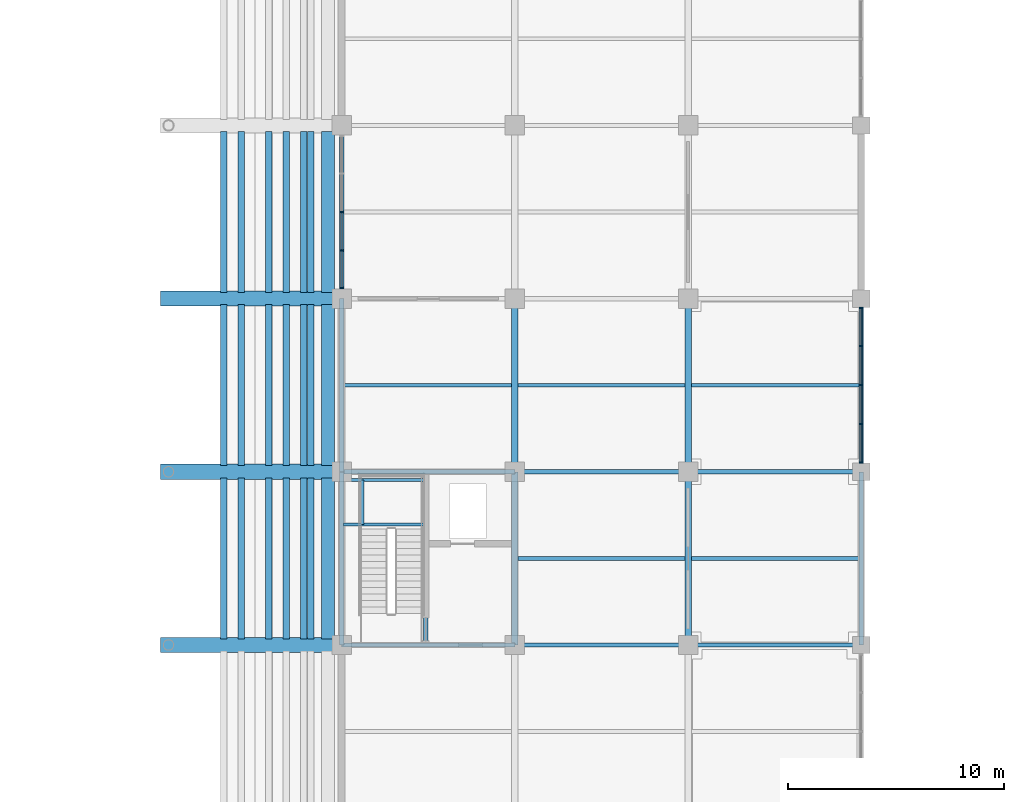
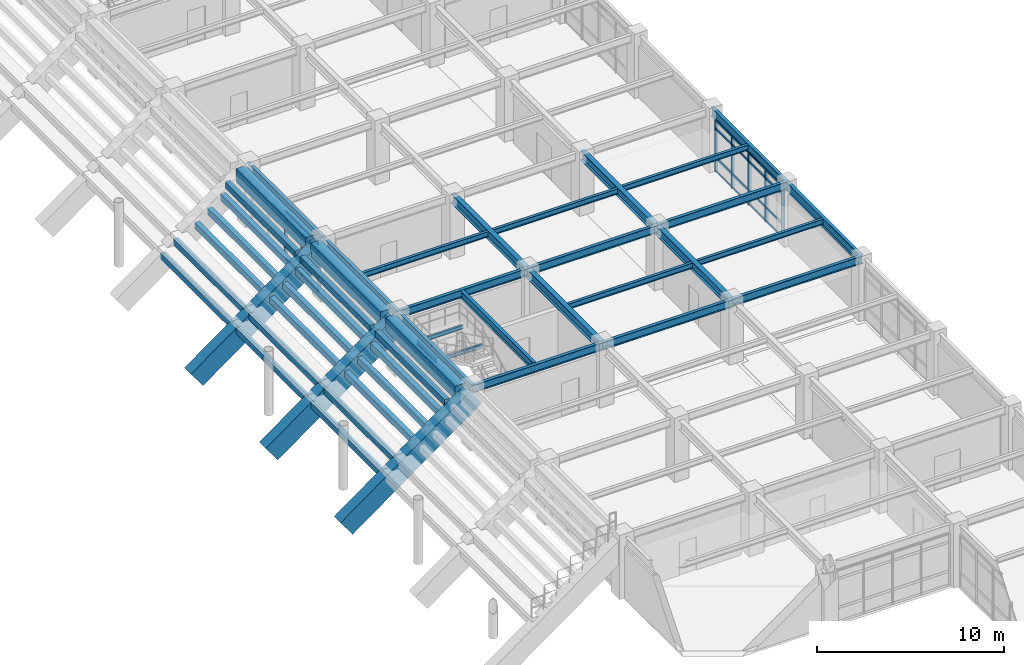
# One storey, part 41 of 118: 48 beams, 32 members, 2 elements without a shape of their own.
"""IFC4 building model written with IfcOpenShell, lengths in metres."""

import ifcopenshell
import ifcopenshell.guid

model = None  # the IFC model being written
_history = None  # IfcOwnerHistory: only IFC2X3 demands one
_inside = {}  # id of a spatial element -> (the spatial element, [elements in it])
_under = {}  # id of a project, library or spatial element -> (it, [spatial elements below it])
_declared = {}  # id of a project -> (the project, [libraries it declares])
_typed = {}  # id of a type object -> (the type object, [elements of that type])
_made_of = {}  # id of a material, layer set ... -> (it, [elements and type objects made of it])


def new_model(schema):
    """Start an empty IFC model of exactly this schema.

    Asked for "IFC4X3", IfcOpenShell would pick the latest addendum, in which some entities
    have other attributes; the version numbers below select the first issue.
    IFC2X3 requires an IfcOwnerHistory on every rooted entity: one is made here for all.
    """
    global model, _history
    if schema == "IFC4X3":
        model = ifcopenshell.file(schema_version=(4, 3, 0, 0))
    else:
        model = ifcopenshell.file(schema=schema)
    _inside.clear()
    _under.clear()
    _declared.clear()
    _typed.clear()
    _made_of.clear()
    _history = None
    if model.schema == "IFC2X3":
        org = make("IfcOrganization", Name="unknown")
        user = make(
            "IfcPersonAndOrganization",
            ThePerson=make("IfcPerson", FamilyName="unknown"),
            TheOrganization=org,
        )
        app = make(
            "IfcApplication",
            ApplicationDeveloper=org,
            Version="unknown",
            ApplicationFullName="unknown",
            ApplicationIdentifier="unknown",
        )
        _history = make(
            "IfcOwnerHistory",
            OwningUser=user,
            OwningApplication=app,
            ChangeAction="ADDED",
            CreationDate=0,
        )
    return model


def make(cls, **values):
    """One entity of the class cls with the attributes given. An attribute that is None is left unset."""
    return model.create_entity(
        cls, **{name: value for name, value in values.items() if value is not None}
    )


def rooted(cls, **values):
    """An entity with a GlobalId (a new one), such as an element, a storey or a relation."""
    return make(cls, GlobalId=ifcopenshell.guid.new(), OwnerHistory=_history, **values)


def si_unit(unit_type, name, prefix=None):
    """IfcSIUnit, for example si_unit("LENGTHUNIT", "METRE", prefix="MILLI")."""
    return make("IfcSIUnit", UnitType=unit_type, Prefix=prefix, Name=name)


def assignment(units):
    """IfcUnitAssignment: the units of a project."""
    return None if units is None else make("IfcUnitAssignment", Units=units)


def point(xyz):
    """IfcCartesianPoint."""
    return None if xyz is None else make("IfcCartesianPoint", Coordinates=xyz)


def direction(xyz):
    """IfcDirection."""
    return None if xyz is None else make("IfcDirection", DirectionRatios=xyz)


def frame(location, z_axis=None, x_axis=None):
    """IfcAxis2Placement3D, a coordinate frame: its origin and axes. An axis left out is left unset."""
    return make(
        "IfcAxis2Placement3D",
        Location=point(location),
        Axis=direction(z_axis),
        RefDirection=direction(x_axis),
    )


def frame_2d(location, x_axis=None):
    """IfcAxis2Placement2D, a coordinate frame in the plane: its origin and x axis."""
    return make(
        "IfcAxis2Placement2D", Location=point(location), RefDirection=direction(x_axis)
    )


def origin():
    """The frame at (0, 0, 0) with its axes left unset."""
    return frame((0.0, 0.0, 0.0))


def origin_2d():
    """The frame at (0, 0) in the plane with its x axis left unset."""
    return frame_2d((0.0, 0.0))


def place(relative_to, where):
    """IfcLocalPlacement: puts the frame where relative to a parent placement (None: the world)."""
    return make(
        "IfcLocalPlacement", PlacementRelTo=relative_to, RelativePlacement=where
    )


def context(
    kind, dimensions, precision=None, world=None, true_north=None, identifier=None
):
    """IfcGeometricRepresentationContext, for example the 3D "Model" context."""
    return make(
        "IfcGeometricRepresentationContext",
        ContextIdentifier=identifier,
        ContextType=kind,
        CoordinateSpaceDimension=dimensions,
        Precision=precision,
        WorldCoordinateSystem=world,
        TrueNorth=true_north,
    )


def subcontext(parent, identifier, kind, view, scale=None):
    """IfcGeometricRepresentationSubContext, for example "Body" below "Model"."""
    return make(
        "IfcGeometricRepresentationSubContext",
        ContextIdentifier=identifier,
        ContextType=kind,
        ParentContext=parent,
        TargetScale=scale,
        TargetView=view,
    )


def project(units=None, contexts=None):
    """IfcProject with its units and contexts."""
    return rooted(
        "IfcProject",
        Name="project",
        RepresentationContexts=contexts,
        UnitsInContext=assignment(units),
    )


def spatial(cls, under=None, at=None, **own):
    """A site, building, storey or space (cls), placed at a placement, below another one or the project."""
    s = rooted(cls, ObjectPlacement=at, **own)
    if under is not None:
        _under.setdefault(under.id(), (under, []))[1].append(s)
    return s


def profile(cls, at=None, kind="AREA", **sizes):
    """A parametric profile (cls). Its sizes go by their IFC names, for example OverallWidth=200.0."""
    return make(cls, ProfileType=kind, Position=at, **sizes)


def rectangle(**sizes):
    """IfcRectangleProfileDef."""
    return profile("IfcRectangleProfileDef", **sizes)


def i_section(**sizes):
    """IfcIShapeProfileDef."""
    return profile("IfcIShapeProfileDef", **sizes)


def extrude(swept, where, along, depth):
    """IfcExtrudedAreaSolid: the profile swept, set in the frame where, extruded along a direction by depth."""
    return make(
        "IfcExtrudedAreaSolid",
        SweptArea=swept,
        Position=where,
        ExtrudedDirection=direction(along),
        Depth=depth,
    )


def shape(context_of_items, identifier, shape_type, items):
    """IfcShapeRepresentation: the items that make up one representation, for example the "Body"."""
    return make(
        "IfcShapeRepresentation",
        ContextOfItems=context_of_items,
        RepresentationIdentifier=identifier,
        RepresentationType=shape_type,
        Items=items,
    )


def material(Name=None, Category=None):
    """IfcMaterial."""
    return make("IfcMaterial", Name=Name, Category=Category)


def layer(
    of_material, thickness, ventilated=None, Name=None, Category=None, Priority=None
):
    """IfcMaterialLayer: one layer of a wall or slab, of a material (None: an air gap)."""
    return make(
        "IfcMaterialLayer",
        Material=of_material,
        LayerThickness=thickness,
        IsVentilated=ventilated,
        Name=Name,
        Category=Category,
        Priority=Priority,
    )


def layer_set(layers, Name=None):
    """IfcMaterialLayerSet."""
    return make("IfcMaterialLayerSet", MaterialLayers=layers, LayerSetName=Name)


def material_profile(
    of_material, cross_section, Name=None, Category=None, Priority=None
):
    """IfcMaterialProfile: a cross section and its material."""
    return make(
        "IfcMaterialProfile",
        Name=Name,
        Material=of_material,
        Profile=cross_section,
        Priority=Priority,
        Category=Category,
    )


def profile_set(profiles, Name=None, composite=None):
    """IfcMaterialProfileSet."""
    return make(
        "IfcMaterialProfileSet",
        Name=Name,
        MaterialProfiles=profiles,
        CompositeProfile=composite,
    )


def made_of(thing, what):
    """Note that an element or type object is made of a material, layer set ...; save() writes the relation."""
    if what is not None:
        _made_of.setdefault(what.id(), (what, []))[1].append(thing)
    return thing


def type_object(cls, material=None, **own):
    """A type object (cls), such as IfcWallType, which elements share."""
    return made_of(rooted(cls, **own), material)


def element(
    cls,
    number,
    at=None,
    inside=None,
    cuts=None,
    type_object=None,
    material=None,
    context=None,
    identifier="Body",
    shape_type=None,
    held_by="IfcProductDefinitionShape",
    body=None,
    shapes=None,
    **own,
):
    """One element of the class cls, such as IfcWall. Its Tag is "e" and its number.

    at: its placement. inside: the storey or other place that contains it. cuts: it is an
    opening in that element (IfcRelVoidsElement). A single representation is given by context,
    identifier, shape_type and body (its items); several are given by shapes. held_by: the class
    of the entity that holds the representations. save() writes the other relations.
    """
    e = rooted(cls, Tag="e%d" % number, ObjectPlacement=at, **own)
    if body is not None:
        shapes = [shape(context, identifier, shape_type, body)]
    if shapes is not None:
        e.Representation = make(held_by, Representations=shapes)
    if inside is not None:
        _inside.setdefault(inside.id(), (inside, []))[1].append(e)
    if cuts is not None:
        rooted(
            "IfcRelVoidsElement", RelatingBuildingElement=cuts, RelatedOpeningElement=e
        )
    if type_object is not None:
        _typed.setdefault(type_object.id(), (type_object, []))[1].append(e)
    return made_of(e, material)


def aggregate(whole, parts):
    """IfcRelAggregates: a whole, such as a stair, and the parts it consists of."""
    return rooted("IfcRelAggregates", RelatingObject=whole, RelatedObjects=parts)


def save(model, path):
    """Write the relations noted so far, then the file.

    IfcRelAggregates (storeys below a building ...), IfcRelContainedInSpatialStructure (elements
    in a storey), IfcRelDefinesByType, IfcRelAssociatesMaterial and IfcRelDeclares: one each for
    every whole, place, type object, material and project.
    """
    for whole, parts in _under.values():
        aggregate(whole, parts)
    for where, things in _inside.values():
        rooted(
            "IfcRelContainedInSpatialStructure",
            RelatedElements=things,
            RelatingStructure=where,
        )
    for kind, things in _typed.values():
        rooted("IfcRelDefinesByType", RelatedObjects=things, RelatingType=kind)
    for what, things in _made_of.values():
        rooted("IfcRelAssociatesMaterial", RelatedObjects=things, RelatingMaterial=what)
    for by, libraries in _declared.values():
        rooted("IfcRelDeclares", RelatingContext=by, RelatedDefinitions=libraries)
    model.write(path)


model = new_model("IFC4")

# Units and contexts
model_context = context("Model", 3, precision=1e-05, world=origin(), true_north=direction((0.0, 1.0)))
body_context = subcontext(model_context, "Body", "Model", "MODEL_VIEW")
ifc_project = project(units=[si_unit("LENGTHUNIT", "METRE"), si_unit("AREAUNIT", "SQUARE_METRE"), si_unit("VOLUMEUNIT", "CUBIC_METRE"), si_unit("PLANEANGLEUNIT", "RADIAN"), si_unit("MASSUNIT", "GRAM", prefix="KILO")], contexts=[model_context])

# Site, building, storey
site_placement = place(None, origin())
site = spatial("IfcSite", under=ifc_project, at=site_placement, CompositionType="ELEMENT")
building_placement = place(site_placement, origin())
building = spatial("IfcBuilding", under=site, at=building_placement, Name="Haebicheon Civic Stadium", CompositionType="ELEMENT")
storey_placement = place(building_placement, frame((0.0, 0.0, 14.39990234375)))
storey = spatial("IfcBuildingStorey", under=building, at=storey_placement, Name="L04", CompositionType="ELEMENT", Elevation=14.39990234375)

# Beams
ifc_material_1 = material(Name="Precast concrete C40/50", Category="concrete")
ifc_material_profile_1 = material_profile(ifc_material_1, rectangle(XDim=0.300048828125, YDim=0.39990234375, at=origin_2d()), Name="PC-LN-300x400")
ifc_profile_set_1 = profile_set([ifc_material_profile_1], Name="Precast concrete C40/50")
beam_type_1 = type_object("IfcBeamType", Name="BM-LN-300x400", PredefinedType="LINTEL", material=ifc_profile_set_1)
for number, where, z_axis, x_axis, name in (
    (1, (138.56005859375, 64.280029296875, -0.10693359375), (0.0, 1.0, 0.0), (-1.0, 0.0, 0.0), "TIER-E-U precast step carrier beam 3.4"),
    (2, (139.360107421875, 64.280029296875, 0.5380859375), (0.0, 1.0, 0.0), (-1.0, 0.0, 0.0), "TIER-E-U precast step carrier beam 3.5"),
    (3, (140.639892578125, 64.280029296875, 1.18212890625), (0.0, 1.0, 0.0), (-1.0, 0.0, 0.0), "TIER-E-U precast step carrier beam 3.6"),
    (4, (141.43994140625, 64.280029296875, 1.8271484375), (0.0, 1.0, 0.0), (-1.0, 0.0, 0.0), "TIER-E-U precast step carrier beam 3.7"),
    (5, (142.239990234375, 64.280029296875, 2.47119140625), (0.0, 1.0, 0.0), (-1.0, 0.0, 0.0), "TIER-E-U precast step carrier beam 3.8"),
    (6, (142.56005859375, 64.280029296875, 3.1162109375), (0.0, 1.0, 0.0), (-1.0, 0.0, 0.0), "TIER-E-U precast step carrier beam 3.9"),
    (7, (138.56005859375, 72.280029296875, -0.10693359375), (0.0, 1.0, 0.0), (-1.0, 0.0, 0.0), "TIER-E-U precast step carrier beam 4.4"),
    (8, (139.360107421875, 72.280029296875, 0.5380859375), (0.0, 1.0, 0.0), (-1.0, 0.0, 0.0), "TIER-E-U precast step carrier beam 4.5"),
    (9, (140.639892578125, 72.280029296875, 1.18212890625), (0.0, 1.0, 0.0), (-1.0, 0.0, 0.0), "TIER-E-U precast step carrier beam 4.6"),
    (10, (141.43994140625, 72.280029296875, 1.8271484375), (0.0, 1.0, 0.0), (-1.0, 0.0, 0.0), "TIER-E-U precast step carrier beam 4.7"),
    (11, (142.239990234375, 72.280029296875, 2.47119140625), (0.0, 1.0, 0.0), (-1.0, 0.0, 0.0), "TIER-E-U precast step carrier beam 4.8"),
    (12, (142.56005859375, 72.280029296875, 3.1162109375), (0.0, 1.0, 0.0), (-1.0, 0.0, 0.0), "TIER-E-U precast step carrier beam 4.9"),
    (13, (138.56005859375, 80.280029296875, -0.10693359375), (0.0, 1.0, 0.0), (-1.0, 0.0, 0.0), "TIER-E-U precast step carrier beam 5.4"),
    (14, (139.360107421875, 80.280029296875, 0.5380859375), (0.0, 1.0, 0.0), (-1.0, 0.0, 0.0), "TIER-E-U precast step carrier beam 5.5"),
    (15, (140.639892578125, 80.280029296875, 1.18212890625), (0.0, 1.0, 0.0), (-1.0, 0.0, 0.0), "TIER-E-U precast step carrier beam 5.6"),
    (16, (141.43994140625, 80.280029296875, 1.8271484375), (0.0, 1.0, 0.0), (-1.0, 0.0, 0.0), "TIER-E-U precast step carrier beam 5.7"),
    (17, (142.239990234375, 80.280029296875, 2.47119140625), (0.0, 1.0, 0.0), (-1.0, 0.0, 0.0), "TIER-E-U precast step carrier beam 5.8"),
    (18, (142.56005859375, 80.280029296875, 3.1162109375), (0.0, 1.0, 0.0), (-1.0, 0.0, 0.0), "TIER-E-U precast step carrier beam 5.9"),
):
    element("IfcBeam", number, at=place(storey_placement, frame(where, z_axis=z_axis, x_axis=x_axis)), inside=storey, type_object=beam_type_1, material=ifc_profile_set_1, Name=name, PredefinedType="LINTEL", context=body_context, shape_type="SweptSolid", body=[
        extrude(rectangle(XDim=0.300048828125, YDim=0.39990234375, at=origin_2d()), origin(), (0.0, 0.0, 1.0), 7.43994140625),
    ])
ifc_material_2 = material(Name="Steel SM355 (S355)", Category="steel")
ifc_material_profile_2 = material_profile(ifc_material_2, i_section(OverallWidth=0.199951171875, OverallDepth=0.5, WebThickness=0.010009765625, FlangeThickness=0.01611328125, at=origin_2d()), Name="H-500x200x10x16")
ifc_profile_set_2 = profile_set([ifc_material_profile_2], Name="Steel SM355 (S355)")
beam_type_2 = type_object("IfcBeamType", Name="BM-ST-H500", PredefinedType="BEAM", material=ifc_profile_set_2)
for number, where, z_axis, x_axis, name in (
    (19, (144.0, 64.0, 3.690185546875), (1.0, 0.0, 0.0), (0.0, 1.0, 0.0), "L04 beam J/19-20"),
    (20, (144.0, 72.0, 3.690185546875), (1.0, 0.0, 0.0), (0.0, 1.0, 0.0), "L04 beam K/19-20"),
    (21, (152.0, 64.0, 3.690185546875), (1.0, 0.0, 0.0), (0.0, 1.0, 0.0), "L04 beam J/20-21"),
    (22, (152.0, 72.0, 3.690185546875), (1.0, 0.0, 0.0), (0.0, 1.0, 0.0), "L04 beam K/20-21"),
    (23, (160.0, 64.0, 3.72998046875), (1.0, 0.0, 0.0), (0.0, 1.0, 0.0), "L04 beam J/21-22"),
    (24, (160.0, 72.0, 3.72998046875), (1.0, 0.0, 0.0), (0.0, 1.0, 0.0), "L04 beam K/21-22"),
):
    element("IfcBeam", number, at=place(storey_placement, frame(where, z_axis=z_axis, x_axis=x_axis)), inside=storey, type_object=beam_type_2, material=ifc_profile_set_2, Name=name, PredefinedType="BEAM", context=body_context, shape_type="SweptSolid", body=[
        extrude(i_section(OverallWidth=0.199951171875, OverallDepth=0.5, WebThickness=0.010009765625, FlangeThickness=0.01611328125, at=origin_2d()), origin(), (0.0, 0.0, 1.0), 8.0),
    ])
beam_1_placement = place(storey_placement, frame((147.8798828125, 64.10009765625, 3.690185546875), z_axis=(0.0, 1.0, 0.0), x_axis=(-1.0, 0.0, 0.0)))
element("IfcBeam", 25, at=beam_1_placement, inside=storey, type_object=beam_type_2, material=ifc_profile_set_2, Name="L04 KC-10 core dividing wall support beam", PredefinedType="BEAM", context=body_context, shape_type="SweptSolid", body=[
    extrude(i_section(OverallWidth=0.199951171875, OverallDepth=0.5, WebThickness=0.010009765625, FlangeThickness=0.01611328125, at=origin_2d()), origin(), (0.0, 0.0, 1.0), 7.7998046875),
])
ifc_material_3 = material(Name="Steel SM355 (S355)", Category="steel")
ifc_material_profile_3 = material_profile(ifc_material_3, i_section(OverallWidth=0.300048828125, OverallDepth=0.60009765625, WebThickness=0.011962890625, FlangeThickness=0.02001953125, at=origin_2d()), Name="H-600x300x12x20")
ifc_profile_set_3 = profile_set([ifc_material_profile_3], Name="Steel SM355 (S355)")
beam_type_3 = type_object("IfcBeamType", Name="BM-ST-H600A", PredefinedType="BEAM", material=ifc_profile_set_3)
for number, where, z_axis, x_axis, name in (
    (26, (152.0, 64.0, 3.64013671875), (0.0, 1.0, 0.0), (-1.0, 0.0, 0.0), "L04 girder 20/J-K"),
    (27, (152.0, 72.0, 3.64013671875), (0.0, 1.0, 0.0), (-1.0, 0.0, 0.0), "L04 girder 20/K-L"),
    (28, (160.0, 64.0, 3.64013671875), (0.0, 1.0, 0.0), (-1.0, 0.0, 0.0), "L04 girder 21/J-K"),
    (29, (160.0, 72.0, 3.64013671875), (0.0, 1.0, 0.0), (-1.0, 0.0, 0.0), "L04 girder 21/K-L"),
):
    element("IfcBeam", number, at=place(storey_placement, frame(where, z_axis=z_axis, x_axis=x_axis)), inside=storey, type_object=beam_type_3, material=ifc_profile_set_3, Name=name, PredefinedType="BEAM", context=body_context, shape_type="SweptSolid", body=[
        extrude(i_section(OverallWidth=0.300048828125, OverallDepth=0.60009765625, WebThickness=0.011962890625, FlangeThickness=0.02001953125, at=origin_2d()), origin(), (0.0, 0.0, 1.0), 8.0),
    ])
ifc_material_4 = material(Name="Precast concrete C40/50", Category="concrete")
ifc_material_profile_4 = material_profile(ifc_material_4, rectangle(XDim=0.60009765625, YDim=0.85009765625, at=origin_2d()), Name="PC-TB-600x850")
ifc_profile_set_4 = profile_set([ifc_material_profile_4], Name="Precast concrete C40/50")
beam_type_4 = type_object("IfcBeamType", Name="BM-TB-600x850", PredefinedType="T_BEAM", material=ifc_profile_set_4)
for number, where, z_axis, x_axis, name in (
    (30, (143.360107421875, 64.280029296875, 3.53515625), (0.0, 1.0, 0.0), (-1.0, 0.0, 0.0), "TIER-E-U upper tier bench carrier beam 3"),
    (31, (143.360107421875, 72.280029296875, 3.53515625), (0.0, 1.0, 0.0), (-1.0, 0.0, 0.0), "TIER-E-U upper tier bench carrier beam 4"),
    (32, (143.360107421875, 80.280029296875, 3.53515625), (0.0, 1.0, 0.0), (-1.0, 0.0, 0.0), "TIER-E-U upper tier bench carrier beam 5"),
):
    element("IfcBeam", number, at=place(storey_placement, frame(where, z_axis=z_axis, x_axis=x_axis)), inside=storey, type_object=beam_type_4, material=ifc_profile_set_4, Name=name, PredefinedType="T_BEAM", context=body_context, shape_type="SweptSolid", body=[
        extrude(rectangle(XDim=0.60009765625, YDim=0.85009765625, at=origin_2d()), origin(), (0.0, 0.0, 1.0), 7.43994140625),
    ])

# Curtain wall, members
ifc_material_5 = material(Name="Anodised aluminium and laminated glass", Category="aluminium")
ifc_layer_1 = layer(ifc_material_5, 0.179931640625, Name="Anodised aluminium and laminated glass")
ifc_layer_set_1 = layer_set([ifc_layer_1], Name="Anodised aluminium and laminated glass")
curtain_wall_type_1 = type_object("IfcCurtainWallType", Name="CW-7100x3100", PredefinedType="NOTDEFINED", material=ifc_layer_set_1)
curtain_wall_1_placement = place(storey_placement, origin())
curtain_wall_1 = element("IfcCurtainWall", 33, at=curtain_wall_1_placement, inside=storey, type_object=curtain_wall_type_1, material=ifc_layer_set_1, Name="L04 unitised curtain wall 144", PredefinedType="NOTDEFINED")
ifc_material_6 = material(Name="Anodised aluminium 6063-T6", Category="aluminium")
ifc_material_profile_5 = material_profile(ifc_material_6, rectangle(XDim=0.070068359375, YDim=0.199951171875, at=origin_2d()), Name="ALU-MULL-70x200")
ifc_profile_set_5 = profile_set([ifc_material_profile_5], Name="Anodised aluminium 6063-T6")
member_type_1 = type_object("IfcMemberType", Name="CWM-200x70", PredefinedType="MULLION", material=ifc_profile_set_5)
member_1_placement = place(storey_placement, frame((144.0, 80.485107421875, 0.0), z_axis=(0.0, 0.0, 1.0), x_axis=(0.0, 1.0, 0.0)))
member_1 = element("IfcMember", 34, at=member_1_placement, type_object=member_type_1, material=ifc_profile_set_5, Name="CW-L04-144 vertical mullion 1", PredefinedType="MULLION", context=body_context, shape_type="SweptSolid", body=[
    extrude(rectangle(XDim=0.070068359375, YDim=0.199951171875, at=origin_2d()), origin(), (0.0, 0.0, 1.0), 3.10009765625),
])
member_2_placement = place(storey_placement, frame((144.0, 82.22509765625, 0.0), z_axis=(0.0, 0.0, 1.0), x_axis=(0.0, 1.0, 0.0)))
member_2 = element("IfcMember", 35, at=member_2_placement, type_object=member_type_1, material=ifc_profile_set_5, Name="CW-L04-144 vertical mullion 2", PredefinedType="MULLION", context=body_context, shape_type="SweptSolid", body=[
    extrude(rectangle(XDim=0.070068359375, YDim=0.199951171875, at=origin_2d()), origin(), (0.0, 0.0, 1.0), 3.10009765625),
])
member_3_placement = place(storey_placement, frame((144.0, 84.0, 0.0), z_axis=(0.0, 0.0, 1.0), x_axis=(0.0, 1.0, 0.0)))
member_3 = element("IfcMember", 36, at=member_3_placement, type_object=member_type_1, material=ifc_profile_set_5, Name="CW-L04-144 vertical mullion 3", PredefinedType="MULLION", context=body_context, shape_type="SweptSolid", body=[
    extrude(rectangle(XDim=0.070068359375, YDim=0.199951171875, at=origin_2d()), origin(), (0.0, 0.0, 1.0), 3.10009765625),
])

ifc_material_7 = material(Name="Anodised aluminium and laminated glass", Category="aluminium")
ifc_layer_2 = layer(ifc_material_7, 0.179931640625, Name="Anodised aluminium and laminated glass")
ifc_layer_set_2 = layer_set([ifc_layer_2], Name="Anodised aluminium and laminated glass")
curtain_wall_type_2 = type_object("IfcCurtainWallType", Name="CW-7200x3350", PredefinedType="NOTDEFINED", material=ifc_layer_set_2)
curtain_wall_2_placement = place(storey_placement, origin())
curtain_wall_2 = element("IfcCurtainWall", 37, at=curtain_wall_2_placement, inside=storey, type_object=curtain_wall_type_2, material=ifc_layer_set_2, Name="L04 unitised curtain wall 155", PredefinedType="NOTDEFINED")
member_4_placement = place(storey_placement, frame((168.0, 72.43505859375, 0.0), z_axis=(0.0, 0.0, 1.0), x_axis=(0.0, 1.0, 0.0)))
member_4 = element("IfcMember", 38, at=member_4_placement, type_object=member_type_1, material=ifc_profile_set_5, Name="CW-L04-155 vertical mullion 1", PredefinedType="MULLION", context=body_context, shape_type="SweptSolid", body=[
    extrude(rectangle(XDim=0.070068359375, YDim=0.199951171875, at=origin_2d()), origin(), (0.0, 0.0, 1.0), 3.35009765625),
])
member_5_placement = place(storey_placement, frame((168.0, 74.199951171875, 0.0), z_axis=(0.0, 0.0, 1.0), x_axis=(0.0, 1.0, 0.0)))
member_5 = element("IfcMember", 39, at=member_5_placement, type_object=member_type_1, material=ifc_profile_set_5, Name="CW-L04-155 vertical mullion 2", PredefinedType="MULLION", context=body_context, shape_type="SweptSolid", body=[
    extrude(rectangle(XDim=0.070068359375, YDim=0.199951171875, at=origin_2d()), origin(), (0.0, 0.0, 1.0), 3.35009765625),
])
member_6_placement = place(storey_placement, frame((168.0, 76.0, 0.0), z_axis=(0.0, 0.0, 1.0), x_axis=(0.0, 1.0, 0.0)))
member_6 = element("IfcMember", 40, at=member_6_placement, type_object=member_type_1, material=ifc_profile_set_5, Name="CW-L04-155 vertical mullion 3", PredefinedType="MULLION", context=body_context, shape_type="SweptSolid", body=[
    extrude(rectangle(XDim=0.070068359375, YDim=0.199951171875, at=origin_2d()), origin(), (0.0, 0.0, 1.0), 3.35009765625),
])
member_7_placement = place(storey_placement, frame((168.0, 77.800048828125, 0.0), z_axis=(0.0, 0.0, 1.0), x_axis=(0.0, 1.0, 0.0)))
member_7 = element("IfcMember", 41, at=member_7_placement, type_object=member_type_1, material=ifc_profile_set_5, Name="CW-L04-155 vertical mullion 4", PredefinedType="MULLION", context=body_context, shape_type="SweptSolid", body=[
    extrude(rectangle(XDim=0.070068359375, YDim=0.199951171875, at=origin_2d()), origin(), (0.0, 0.0, 1.0), 3.35009765625),
])
member_8_placement = place(storey_placement, frame((168.0, 79.56494140625, 0.0), z_axis=(0.0, 0.0, 1.0), x_axis=(0.0, 1.0, 0.0)))
member_8 = element("IfcMember", 42, at=member_8_placement, type_object=member_type_1, material=ifc_profile_set_5, Name="CW-L04-155 vertical mullion 5", PredefinedType="MULLION", context=body_context, shape_type="SweptSolid", body=[
    extrude(rectangle(XDim=0.070068359375, YDim=0.199951171875, at=origin_2d()), origin(), (0.0, 0.0, 1.0), 3.35009765625),
])

# Member
ifc_material_8 = material(Name="Anodised aluminium 6063-T6", Category="aluminium")
ifc_material_profile_6 = material_profile(ifc_material_8, rectangle(XDim=0.070068359375, YDim=0.14990234375, at=origin_2d()), Name="ALU-TRAN-70x150")
ifc_profile_set_6 = profile_set([ifc_material_profile_6], Name="Anodised aluminium 6063-T6")
member_type_2 = type_object("IfcMemberType", Name="CWT-150x70", PredefinedType="NOTDEFINED", material=ifc_profile_set_6)
member_9_placement = place(storey_placement, frame((144.0, 80.52001953125, 0.0), z_axis=(0.0, 1.0, 0.0), x_axis=(-1.0, 0.0, 0.0)))
member_9 = element("IfcMember", 43, at=member_9_placement, type_object=member_type_2, material=ifc_profile_set_6, Name="CW-L04-144 horizontal transom 1.1", ObjectType="TRANSOM", PredefinedType="USERDEFINED", context=body_context, shape_type="SweptSolid", body=[
    extrude(rectangle(XDim=0.070068359375, YDim=0.14990234375, at=origin_2d()), origin(), (0.0, 0.0, 1.0), 1.669921875),
])

member_10_placement = place(storey_placement, frame((144.0, 80.52001953125, 0.900146484375), z_axis=(0.0, 1.0, 0.0), x_axis=(-1.0, 0.0, 0.0)))
member_10 = element("IfcMember", 44, at=member_10_placement, type_object=member_type_2, material=ifc_profile_set_6, Name="CW-L04-144 horizontal transom 1.2", ObjectType="TRANSOM", PredefinedType="USERDEFINED", context=body_context, shape_type="SweptSolid", body=[
    extrude(rectangle(XDim=0.070068359375, YDim=0.14990234375, at=origin_2d()), origin(), (0.0, 0.0, 1.0), 1.669921875),
])

member_11_placement = place(storey_placement, frame((144.0, 80.52001953125, 2.550048828125), z_axis=(0.0, 1.0, 0.0), x_axis=(-1.0, 0.0, 0.0)))
member_11 = element("IfcMember", 45, at=member_11_placement, type_object=member_type_2, material=ifc_profile_set_6, Name="CW-L04-144 horizontal transom 1.3", ObjectType="TRANSOM", PredefinedType="USERDEFINED", context=body_context, shape_type="SweptSolid", body=[
    extrude(rectangle(XDim=0.070068359375, YDim=0.14990234375, at=origin_2d()), origin(), (0.0, 0.0, 1.0), 1.669921875),
])

member_12_placement = place(storey_placement, frame((144.0, 80.52001953125, 3.10009765625), z_axis=(0.0, 1.0, 0.0), x_axis=(-1.0, 0.0, 0.0)))
member_12 = element("IfcMember", 46, at=member_12_placement, type_object=member_type_2, material=ifc_profile_set_6, Name="CW-L04-144 horizontal transom 1.4", ObjectType="TRANSOM", PredefinedType="USERDEFINED", context=body_context, shape_type="SweptSolid", body=[
    extrude(rectangle(XDim=0.070068359375, YDim=0.14990234375, at=origin_2d()), origin(), (0.0, 0.0, 1.0), 1.669921875),
])

member_13_placement = place(storey_placement, frame((144.0, 82.260009765625, 0.0), z_axis=(0.0, 1.0, 0.0), x_axis=(-1.0, 0.0, 0.0)))
member_13 = element("IfcMember", 47, at=member_13_placement, type_object=member_type_2, material=ifc_profile_set_6, Name="CW-L04-144 horizontal transom 2.1", ObjectType="TRANSOM", PredefinedType="USERDEFINED", context=body_context, shape_type="SweptSolid", body=[
    extrude(rectangle(XDim=0.070068359375, YDim=0.14990234375, at=origin_2d()), origin(), (0.0, 0.0, 1.0), 1.705078125),
])

member_14_placement = place(storey_placement, frame((144.0, 82.260009765625, 0.900146484375), z_axis=(0.0, 1.0, 0.0), x_axis=(-1.0, 0.0, 0.0)))
member_14 = element("IfcMember", 48, at=member_14_placement, type_object=member_type_2, material=ifc_profile_set_6, Name="CW-L04-144 horizontal transom 2.2", ObjectType="TRANSOM", PredefinedType="USERDEFINED", context=body_context, shape_type="SweptSolid", body=[
    extrude(rectangle(XDim=0.070068359375, YDim=0.14990234375, at=origin_2d()), origin(), (0.0, 0.0, 1.0), 1.705078125),
])

member_15_placement = place(storey_placement, frame((144.0, 82.260009765625, 2.550048828125), z_axis=(0.0, 1.0, 0.0), x_axis=(-1.0, 0.0, 0.0)))
member_15 = element("IfcMember", 49, at=member_15_placement, type_object=member_type_2, material=ifc_profile_set_6, Name="CW-L04-144 horizontal transom 2.3", ObjectType="TRANSOM", PredefinedType="USERDEFINED", context=body_context, shape_type="SweptSolid", body=[
    extrude(rectangle(XDim=0.070068359375, YDim=0.14990234375, at=origin_2d()), origin(), (0.0, 0.0, 1.0), 1.705078125),
])

member_16_placement = place(storey_placement, frame((144.0, 82.260009765625, 3.10009765625), z_axis=(0.0, 1.0, 0.0), x_axis=(-1.0, 0.0, 0.0)))
member_16 = element("IfcMember", 50, at=member_16_placement, type_object=member_type_2, material=ifc_profile_set_6, Name="CW-L04-144 horizontal transom 2.4", ObjectType="TRANSOM", PredefinedType="USERDEFINED", context=body_context, shape_type="SweptSolid", body=[
    extrude(rectangle(XDim=0.070068359375, YDim=0.14990234375, at=origin_2d()), origin(), (0.0, 0.0, 1.0), 1.705078125),
])

aggregate(curtain_wall_1, [member_1, member_2, member_3, member_9, member_10, member_11, member_12, member_13, member_14, member_15, member_16])

member_17_placement = place(storey_placement, frame((168.0, 72.469970703125, 0.0), z_axis=(0.0, 1.0, 0.0), x_axis=(-1.0, 0.0, 0.0)))
member_17 = element("IfcMember", 51, at=member_17_placement, type_object=member_type_2, material=ifc_profile_set_6, Name="CW-L04-155 horizontal transom 1.1", ObjectType="TRANSOM", PredefinedType="USERDEFINED", context=body_context, shape_type="SweptSolid", body=[
    extrude(rectangle(XDim=0.070068359375, YDim=0.14990234375, at=origin_2d()), origin(), (0.0, 0.0, 1.0), 1.695068359375),
])

member_18_placement = place(storey_placement, frame((168.0, 72.469970703125, 0.900146484375), z_axis=(0.0, 1.0, 0.0), x_axis=(-1.0, 0.0, 0.0)))
member_18 = element("IfcMember", 52, at=member_18_placement, type_object=member_type_2, material=ifc_profile_set_6, Name="CW-L04-155 horizontal transom 1.2", ObjectType="TRANSOM", PredefinedType="USERDEFINED", context=body_context, shape_type="SweptSolid", body=[
    extrude(rectangle(XDim=0.070068359375, YDim=0.14990234375, at=origin_2d()), origin(), (0.0, 0.0, 1.0), 1.695068359375),
])

member_19_placement = place(storey_placement, frame((168.0, 72.469970703125, 2.800048828125), z_axis=(0.0, 1.0, 0.0), x_axis=(-1.0, 0.0, 0.0)))
member_19 = element("IfcMember", 53, at=member_19_placement, type_object=member_type_2, material=ifc_profile_set_6, Name="CW-L04-155 horizontal transom 1.3", ObjectType="TRANSOM", PredefinedType="USERDEFINED", context=body_context, shape_type="SweptSolid", body=[
    extrude(rectangle(XDim=0.070068359375, YDim=0.14990234375, at=origin_2d()), origin(), (0.0, 0.0, 1.0), 1.695068359375),
])

member_20_placement = place(storey_placement, frame((168.0, 72.469970703125, 3.35009765625), z_axis=(0.0, 1.0, 0.0), x_axis=(-1.0, 0.0, 0.0)))
member_20 = element("IfcMember", 54, at=member_20_placement, type_object=member_type_2, material=ifc_profile_set_6, Name="CW-L04-155 horizontal transom 1.4", ObjectType="TRANSOM", PredefinedType="USERDEFINED", context=body_context, shape_type="SweptSolid", body=[
    extrude(rectangle(XDim=0.070068359375, YDim=0.14990234375, at=origin_2d()), origin(), (0.0, 0.0, 1.0), 1.695068359375),
])

member_21_placement = place(storey_placement, frame((168.0, 74.235107421875, 0.0), z_axis=(0.0, 1.0, 0.0), x_axis=(-1.0, 0.0, 0.0)))
member_21 = element("IfcMember", 55, at=member_21_placement, type_object=member_type_2, material=ifc_profile_set_6, Name="CW-L04-155 horizontal transom 2.1", ObjectType="TRANSOM", PredefinedType="USERDEFINED", context=body_context, shape_type="SweptSolid", body=[
    extrude(rectangle(XDim=0.070068359375, YDim=0.14990234375, at=origin_2d()), origin(), (0.0, 0.0, 1.0), 1.72998046875),
])

member_22_placement = place(storey_placement, frame((168.0, 74.235107421875, 0.900146484375), z_axis=(0.0, 1.0, 0.0), x_axis=(-1.0, 0.0, 0.0)))
member_22 = element("IfcMember", 56, at=member_22_placement, type_object=member_type_2, material=ifc_profile_set_6, Name="CW-L04-155 horizontal transom 2.2", ObjectType="TRANSOM", PredefinedType="USERDEFINED", context=body_context, shape_type="SweptSolid", body=[
    extrude(rectangle(XDim=0.070068359375, YDim=0.14990234375, at=origin_2d()), origin(), (0.0, 0.0, 1.0), 1.72998046875),
])

member_23_placement = place(storey_placement, frame((168.0, 74.235107421875, 2.800048828125), z_axis=(0.0, 1.0, 0.0), x_axis=(-1.0, 0.0, 0.0)))
member_23 = element("IfcMember", 57, at=member_23_placement, type_object=member_type_2, material=ifc_profile_set_6, Name="CW-L04-155 horizontal transom 2.3", ObjectType="TRANSOM", PredefinedType="USERDEFINED", context=body_context, shape_type="SweptSolid", body=[
    extrude(rectangle(XDim=0.070068359375, YDim=0.14990234375, at=origin_2d()), origin(), (0.0, 0.0, 1.0), 1.72998046875),
])

member_24_placement = place(storey_placement, frame((168.0, 74.235107421875, 3.35009765625), z_axis=(0.0, 1.0, 0.0), x_axis=(-1.0, 0.0, 0.0)))
member_24 = element("IfcMember", 58, at=member_24_placement, type_object=member_type_2, material=ifc_profile_set_6, Name="CW-L04-155 horizontal transom 2.4", ObjectType="TRANSOM", PredefinedType="USERDEFINED", context=body_context, shape_type="SweptSolid", body=[
    extrude(rectangle(XDim=0.070068359375, YDim=0.14990234375, at=origin_2d()), origin(), (0.0, 0.0, 1.0), 1.72998046875),
])

member_25_placement = place(storey_placement, frame((168.0, 76.034912109375, 0.0), z_axis=(0.0, 1.0, 0.0), x_axis=(-1.0, 0.0, 0.0)))
member_25 = element("IfcMember", 59, at=member_25_placement, type_object=member_type_2, material=ifc_profile_set_6, Name="CW-L04-155 horizontal transom 3.1", ObjectType="TRANSOM", PredefinedType="USERDEFINED", context=body_context, shape_type="SweptSolid", body=[
    extrude(rectangle(XDim=0.070068359375, YDim=0.14990234375, at=origin_2d()), origin(), (0.0, 0.0, 1.0), 1.72998046875),
])

member_26_placement = place(storey_placement, frame((168.0, 76.034912109375, 0.900146484375), z_axis=(0.0, 1.0, 0.0), x_axis=(-1.0, 0.0, 0.0)))
member_26 = element("IfcMember", 60, at=member_26_placement, type_object=member_type_2, material=ifc_profile_set_6, Name="CW-L04-155 horizontal transom 3.2", ObjectType="TRANSOM", PredefinedType="USERDEFINED", context=body_context, shape_type="SweptSolid", body=[
    extrude(rectangle(XDim=0.070068359375, YDim=0.14990234375, at=origin_2d()), origin(), (0.0, 0.0, 1.0), 1.72998046875),
])

member_27_placement = place(storey_placement, frame((168.0, 76.034912109375, 2.800048828125), z_axis=(0.0, 1.0, 0.0), x_axis=(-1.0, 0.0, 0.0)))
member_27 = element("IfcMember", 61, at=member_27_placement, type_object=member_type_2, material=ifc_profile_set_6, Name="CW-L04-155 horizontal transom 3.3", ObjectType="TRANSOM", PredefinedType="USERDEFINED", context=body_context, shape_type="SweptSolid", body=[
    extrude(rectangle(XDim=0.070068359375, YDim=0.14990234375, at=origin_2d()), origin(), (0.0, 0.0, 1.0), 1.72998046875),
])

member_28_placement = place(storey_placement, frame((168.0, 76.034912109375, 3.35009765625), z_axis=(0.0, 1.0, 0.0), x_axis=(-1.0, 0.0, 0.0)))
member_28 = element("IfcMember", 62, at=member_28_placement, type_object=member_type_2, material=ifc_profile_set_6, Name="CW-L04-155 horizontal transom 3.4", ObjectType="TRANSOM", PredefinedType="USERDEFINED", context=body_context, shape_type="SweptSolid", body=[
    extrude(rectangle(XDim=0.070068359375, YDim=0.14990234375, at=origin_2d()), origin(), (0.0, 0.0, 1.0), 1.72998046875),
])

member_29_placement = place(storey_placement, frame((168.0, 77.8349609375, 0.0), z_axis=(0.0, 1.0, 0.0), x_axis=(-1.0, 0.0, 0.0)))
member_29 = element("IfcMember", 63, at=member_29_placement, type_object=member_type_2, material=ifc_profile_set_6, Name="CW-L04-155 horizontal transom 4.1", ObjectType="TRANSOM", PredefinedType="USERDEFINED", context=body_context, shape_type="SweptSolid", body=[
    extrude(rectangle(XDim=0.070068359375, YDim=0.14990234375, at=origin_2d()), origin(), (0.0, 0.0, 1.0), 1.695068359375),
])

member_30_placement = place(storey_placement, frame((168.0, 77.8349609375, 0.900146484375), z_axis=(0.0, 1.0, 0.0), x_axis=(-1.0, 0.0, 0.0)))
member_30 = element("IfcMember", 64, at=member_30_placement, type_object=member_type_2, material=ifc_profile_set_6, Name="CW-L04-155 horizontal transom 4.2", ObjectType="TRANSOM", PredefinedType="USERDEFINED", context=body_context, shape_type="SweptSolid", body=[
    extrude(rectangle(XDim=0.070068359375, YDim=0.14990234375, at=origin_2d()), origin(), (0.0, 0.0, 1.0), 1.695068359375),
])

member_31_placement = place(storey_placement, frame((168.0, 77.8349609375, 2.800048828125), z_axis=(0.0, 1.0, 0.0), x_axis=(-1.0, 0.0, 0.0)))
member_31 = element("IfcMember", 65, at=member_31_placement, type_object=member_type_2, material=ifc_profile_set_6, Name="CW-L04-155 horizontal transom 4.3", ObjectType="TRANSOM", PredefinedType="USERDEFINED", context=body_context, shape_type="SweptSolid", body=[
    extrude(rectangle(XDim=0.070068359375, YDim=0.14990234375, at=origin_2d()), origin(), (0.0, 0.0, 1.0), 1.695068359375),
])

member_32_placement = place(storey_placement, frame((168.0, 77.8349609375, 3.35009765625), z_axis=(0.0, 1.0, 0.0), x_axis=(-1.0, 0.0, 0.0)))
member_32 = element("IfcMember", 66, at=member_32_placement, type_object=member_type_2, material=ifc_profile_set_6, Name="CW-L04-155 horizontal transom 4.4", ObjectType="TRANSOM", PredefinedType="USERDEFINED", context=body_context, shape_type="SweptSolid", body=[
    extrude(rectangle(XDim=0.070068359375, YDim=0.14990234375, at=origin_2d()), origin(), (0.0, 0.0, 1.0), 1.695068359375),
])

aggregate(curtain_wall_2, [member_4, member_5, member_6, member_7, member_8, member_17, member_18, member_19, member_20, member_21, member_22, member_23, member_24, member_25, member_26, member_27, member_28, member_29, member_30, member_31, member_32])

# Beams
ifc_material_9 = material(Name="Steel SM355 (S355)", Category="steel")
ifc_material_profile_7 = material_profile(ifc_material_9, i_section(OverallWidth=0.125, OverallDepth=0.25, WebThickness=0.006103515625, FlangeThickness=0.009033203125, at=origin_2d()), Name="H-250x125x6x9")
ifc_profile_set_7 = profile_set([ifc_material_profile_7], Name="Steel SM355 (S355)")
beam_type_5 = type_object("IfcBeamType", Name="JST-ST-H250", PredefinedType="JOIST", material=ifc_profile_set_7)
for number, where, z_axis, x_axis, name in (
    (67, (144.080078125, 69.570068359375, 1.772216796875), (1.0, 0.0, 0.0), (0.0, 1.0, 0.0), "KC-10 L04 stair half-landing front trimmer beam"),
    (68, (144.080078125, 71.6201171875, 1.772216796875), (1.0, 0.0, 0.0), (0.0, 1.0, 0.0), "KC-10 L04 stair half-landing rear trimmer beam"),
):
    element("IfcBeam", number, at=place(storey_placement, frame(where, z_axis=z_axis, x_axis=x_axis)), inside=storey, type_object=beam_type_5, material=ifc_profile_set_7, Name=name, PredefinedType="JOIST", context=body_context, shape_type="SweptSolid", body=[
        extrude(i_section(OverallWidth=0.125, OverallDepth=0.25, WebThickness=0.006103515625, FlangeThickness=0.009033203125, at=origin_2d()), origin(), (0.0, 0.0, 1.0), 3.719970703125),
    ])
beam_2_placement = place(storey_placement, frame((144.9599609375, 69.570068359375, 1.772216796875), z_axis=(0.0, 1.0, 0.0), x_axis=(-1.0, 0.0, 0.0)))
element("IfcBeam", 69, at=beam_2_placement, inside=storey, type_object=beam_type_5, material=ifc_profile_set_7, Name="KC-10 L04 stair half-landing transverse tie beam", PredefinedType="JOIST", context=body_context, shape_type="SweptSolid", body=[
    extrude(i_section(OverallWidth=0.125, OverallDepth=0.25, WebThickness=0.006103515625, FlangeThickness=0.009033203125, at=origin_2d()), origin(), (0.0, 0.0, 1.0), 2.050048828125),
])
ifc_material_10 = material(Name="Steel SM355 (S355)", Category="steel")
ifc_material_profile_8 = material_profile(ifc_material_10, i_section(OverallWidth=0.175048828125, OverallDepth=0.35009765625, WebThickness=0.007080078125, FlangeThickness=0.010986328125, at=origin_2d()), Name="H-350x175x7x11")
ifc_profile_set_8 = profile_set([ifc_material_profile_8], Name="Steel SM355 (S355)")
beam_type_6 = type_object("IfcBeamType", Name="JST-ST-H350", PredefinedType="JOIST", material=ifc_profile_set_8)
beam_3_placement = place(storey_placement, frame((144.10009765625, 76.0, 3.76513671875), z_axis=(1.0, 0.0, 0.0), x_axis=(0.0, 1.0, 0.0)))
element("IfcBeam", 70, at=beam_3_placement, inside=storey, type_object=beam_type_6, material=ifc_profile_set_8, Name="L04 secondary joist 18-09", PredefinedType="JOIST", context=body_context, shape_type="SweptSolid", body=[
    extrude(i_section(OverallWidth=0.175048828125, OverallDepth=0.35009765625, WebThickness=0.007080078125, FlangeThickness=0.010986328125, at=origin_2d()), origin(), (0.0, 0.0, 1.0), 7.75),
])
for number, where, z_axis, x_axis, name in (
    (71, (152.14990234375, 68.0, 3.76513671875), (1.0, 0.0, 0.0), (0.0, 1.0, 0.0), "L04 secondary joist 19-08"),
    (72, (152.14990234375, 76.0, 3.76513671875), (1.0, 0.0, 0.0), (0.0, 1.0, 0.0), "L04 secondary joist 19-09"),
):
    element("IfcBeam", number, at=place(storey_placement, frame(where, z_axis=z_axis, x_axis=x_axis)), inside=storey, type_object=beam_type_6, material=ifc_profile_set_8, Name=name, PredefinedType="JOIST", context=body_context, shape_type="SweptSolid", body=[
        extrude(i_section(OverallWidth=0.175048828125, OverallDepth=0.35009765625, WebThickness=0.007080078125, FlangeThickness=0.010986328125, at=origin_2d()), origin(), (0.0, 0.0, 1.0), 7.7001953125),
    ])
for number, where, z_axis, x_axis, name in (
    (73, (160.14990234375, 68.0, 3.80517578125), (1.0, 0.0, 0.0), (0.0, 1.0, 0.0), "L04 secondary joist 20-08"),
    (74, (160.14990234375, 76.0, 3.80517578125), (1.0, 0.0, 0.0), (0.0, 1.0, 0.0), "L04 secondary joist 20-09"),
):
    element("IfcBeam", number, at=place(storey_placement, frame(where, z_axis=z_axis, x_axis=x_axis)), inside=storey, type_object=beam_type_6, material=ifc_profile_set_8, Name=name, PredefinedType="JOIST", context=body_context, shape_type="SweptSolid", body=[
        extrude(i_section(OverallWidth=0.175048828125, OverallDepth=0.35009765625, WebThickness=0.007080078125, FlangeThickness=0.010986328125, at=origin_2d()), origin(), (0.0, 0.0, 1.0), 7.75),
    ])
ifc_material_11 = material(Name="Precast concrete C40/50", Category="concrete")
ifc_material_profile_9 = material_profile(ifc_material_11, rectangle(XDim=0.699951171875, YDim=1.25, at=origin_2d()), Name="PC-RK-700x1250")
ifc_profile_set_9 = profile_set([ifc_material_profile_9], Name="Precast concrete C40/50")
beam_type_7 = type_object("IfcBeamType", Name="RK-PC-700x1250", PredefinedType="USERDEFINED", material=ifc_profile_set_9)
for number, where, z_axis, x_axis, name in (
    (75, (136.0, 64.0, -2.46484375), (0.809608095134, 0.0, 0.586970810428), (0.0, 1.0, 0.0), "TIER-E-U inclined precast raker beam 3"),
    (76, (136.0, 72.0, -2.46484375), (0.809608095134, 0.0, 0.586970810428), (0.0, 1.0, 0.0), "TIER-E-U inclined precast raker beam 4"),
    (77, (136.0, 80.0, -2.46484375), (0.809608095134, 0.0, 0.586970810428), (0.0, 1.0, 0.0), "TIER-E-U inclined precast raker beam 5"),
):
    element("IfcBeam", number, at=place(storey_placement, frame(where, z_axis=z_axis, x_axis=x_axis)), inside=storey, type_object=beam_type_7, material=ifc_profile_set_9, Name=name, ObjectType="RAKER BEAM", PredefinedType="USERDEFINED", context=body_context, shape_type="SweptSolid", body=[
        extrude(rectangle(XDim=0.699951171875, YDim=1.25, at=origin_2d()), origin(), (0.0, 0.0, 1.0), 9.88134765625),
    ])
ifc_material_12 = material(Name="Steel SM355 (S355)", Category="steel")
ifc_material_profile_10 = material_profile(ifc_material_12, i_section(OverallWidth=0.199951171875, OverallDepth=0.60009765625, WebThickness=0.010986328125, FlangeThickness=0.01708984375, at=origin_2d()), Name="H-600x200x11x17")
ifc_profile_set_10 = profile_set([ifc_material_profile_10], Name="Steel SM355 (S355)")
beam_type_8 = type_object("IfcBeamType", Name="SPD-ST-H600B", PredefinedType="SPANDREL", material=ifc_profile_set_10)
for number, where, z_axis, x_axis, name in (
    (78, (144.0, 64.0, 3.64013671875), (0.0, 1.0, 0.0), (-1.0, 0.0, 0.0), "L04 girder 19/J-K"),
    (79, (144.0, 72.0, 3.64013671875), (0.0, 1.0, 0.0), (-1.0, 0.0, 0.0), "L04 girder 19/K-L"),
    (80, (144.0, 80.0, 3.64013671875), (0.0, 1.0, 0.0), (-1.0, 0.0, 0.0), "L04 girder 19/L-M"),
    (81, (168.0, 64.0, 3.68017578125), (0.0, 1.0, 0.0), (-1.0, 0.0, 0.0), "L04 girder 22/J-K"),
    (82, (168.0, 72.0, 3.68017578125), (0.0, 1.0, 0.0), (-1.0, 0.0, 0.0), "L04 girder 22/K-L"),
):
    element("IfcBeam", number, at=place(storey_placement, frame(where, z_axis=z_axis, x_axis=x_axis)), inside=storey, type_object=beam_type_8, material=ifc_profile_set_10, Name=name, PredefinedType="SPANDREL", context=body_context, shape_type="SweptSolid", body=[
        extrude(i_section(OverallWidth=0.199951171875, OverallDepth=0.60009765625, WebThickness=0.010986328125, FlangeThickness=0.01708984375, at=origin_2d()), origin(), (0.0, 0.0, 1.0), 8.0),
    ])

save(model, "model.ifc")
